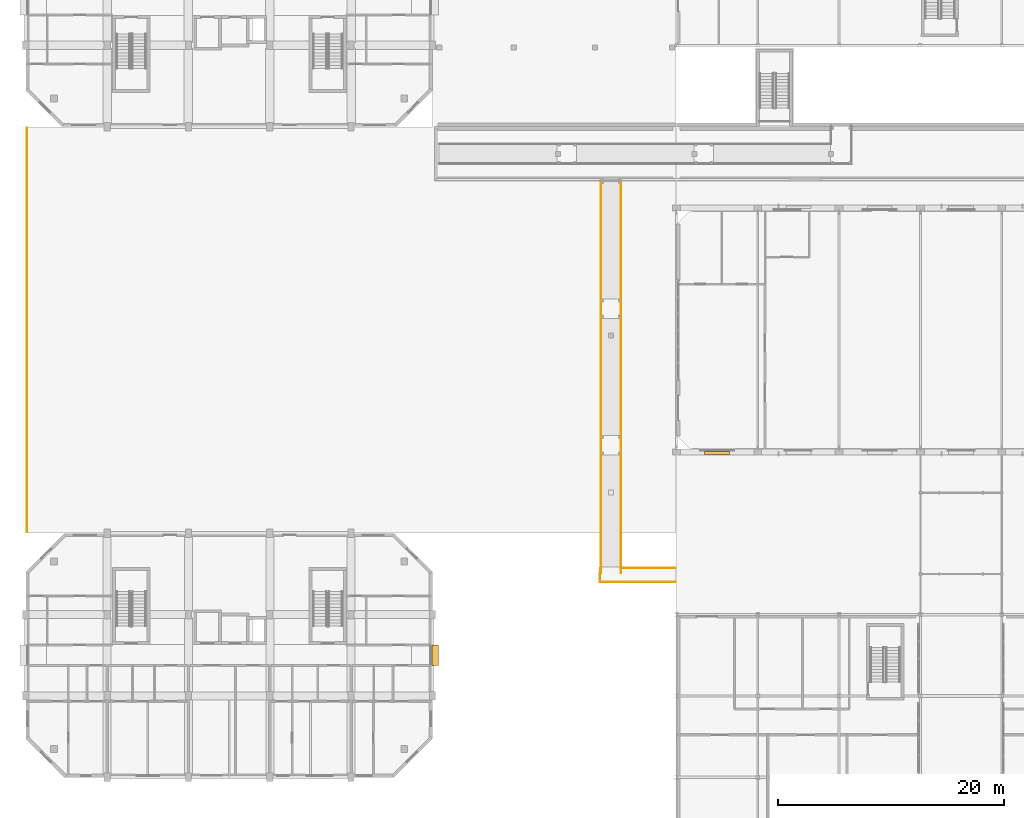
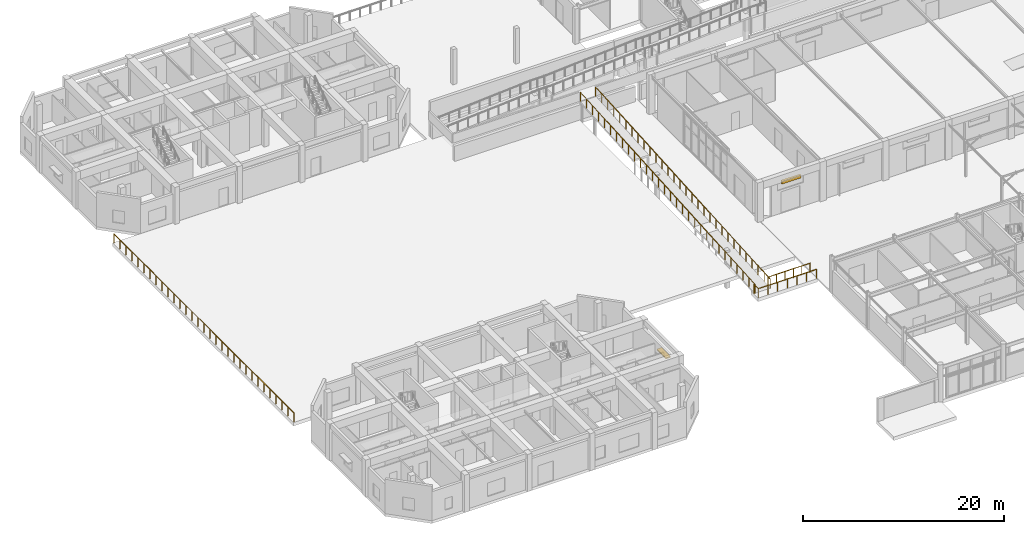
# One storey, part 74 of 85: 3 railings, 2 shading devices.
"""IFC4 building model written with IfcOpenShell, lengths in metres."""

from ifc_helpers import new_model, si_unit, direction, frame, origin, origin_2d, place, context, subcontext, project, spatial, rectangle, circle, extrude, material, type_object, element, save


model = new_model("IFC4")

# Units and contexts
model_context = context("Model", 3, precision=1e-05, world=origin(), true_north=direction((0.0, 1.0)))
body_context = subcontext(model_context, "Body", "Model", "MODEL_VIEW")
ifc_project = project(units=[si_unit("LENGTHUNIT", "METRE"), si_unit("AREAUNIT", "SQUARE_METRE"), si_unit("VOLUMEUNIT", "CUBIC_METRE"), si_unit("PLANEANGLEUNIT", "RADIAN"), si_unit("MASSUNIT", "GRAM", prefix="KILO")], contexts=[model_context])

# Site, building, storey
site_placement = place(None, origin())
site = spatial("IfcSite", under=ifc_project, at=site_placement, CompositionType="ELEMENT")
building_placement = place(site_placement, origin())
building = spatial("IfcBuilding", under=site, at=building_placement, Name="Ochrevale Crest", CompositionType="ELEMENT")
storey_placement = place(building_placement, origin())
storey = spatial("IfcBuildingStorey", under=building, at=storey_placement, Name="L00", CompositionType="ELEMENT", Elevation=0.0)

# Railings
ifc_material_1 = material(Name="Galvanised steel", Category="steel")
railing_type = type_object("IfcRailingType", Name="RL-TER-1120", PredefinedType="BALUSTRADE", material=ifc_material_1)
railing_1_placement = place(storey_placement, frame((0.10009765625, 36.10009765625, 0.0)))
element("IfcRailing", 1, at=railing_1_placement, inside=storey, type_object=railing_type, Name="West courtyard plaza west balustrade", PredefinedType="BALUSTRADE", context=body_context, shape_type="SweptSolid", body=[
    extrude(circle(Radius=0.02392578125, at=origin_2d()), frame((0.0, 0.0, 1.09619140625), z_axis=(0.0, 1.0, 0.0), x_axis=(-1.0, 0.0, 0.0)), (0.0, 0.0, 1.0), 35.7998046875),
    extrude(circle(Radius=0.02099609375, at=origin_2d()), origin(), (0.0, 0.0, 1.0), 1.072021484375),
    extrude(circle(Radius=0.02099609375, at=origin_2d()), frame((0.0, 1.193359375, 0.0)), (0.0, 0.0, 1.0), 1.072021484375),
    extrude(circle(Radius=0.02099609375, at=origin_2d()), frame((0.0, 2.38671875, 0.0)), (0.0, 0.0, 1.0), 1.072021484375),
    extrude(circle(Radius=0.02099609375, at=origin_2d()), frame((0.0, 3.580078125, 0.0)), (0.0, 0.0, 1.0), 1.072021484375),
    extrude(circle(Radius=0.02099609375, at=origin_2d()), frame((0.0, 4.773193359375, 0.0)), (0.0, 0.0, 1.0), 1.072021484375),
    extrude(circle(Radius=0.02099609375, at=origin_2d()), frame((0.0, 5.966552734375, 0.0)), (0.0, 0.0, 1.0), 1.072021484375),
    extrude(circle(Radius=0.02099609375, at=origin_2d()), frame((0.0, 7.159912109375, 0.0)), (0.0, 0.0, 1.0), 1.072021484375),
    extrude(circle(Radius=0.02099609375, at=origin_2d()), frame((0.0, 8.353271484375, 0.0)), (0.0, 0.0, 1.0), 1.072021484375),
    extrude(circle(Radius=0.02099609375, at=origin_2d()), frame((0.0, 9.546630859375, 0.0)), (0.0, 0.0, 1.0), 1.072021484375),
    extrude(circle(Radius=0.02099609375, at=origin_2d()), frame((0.0, 10.739990234375, 0.0)), (0.0, 0.0, 1.0), 1.072021484375),
    extrude(circle(Radius=0.02099609375, at=origin_2d()), frame((0.0, 11.933349609375, 0.0)), (0.0, 0.0, 1.0), 1.072021484375),
    extrude(circle(Radius=0.02099609375, at=origin_2d()), frame((0.0, 13.126708984375, 0.0)), (0.0, 0.0, 1.0), 1.072021484375),
    extrude(circle(Radius=0.02099609375, at=origin_2d()), frame((0.0, 14.31982421875, 0.0)), (0.0, 0.0, 1.0), 1.072021484375),
    extrude(circle(Radius=0.02099609375, at=origin_2d()), frame((0.0, 15.51318359375, 0.0)), (0.0, 0.0, 1.0), 1.072021484375),
    extrude(circle(Radius=0.02099609375, at=origin_2d()), frame((0.0, 16.70654296875, 0.0)), (0.0, 0.0, 1.0), 1.072021484375),
    extrude(circle(Radius=0.02099609375, at=origin_2d()), frame((0.0, 17.89990234375, 0.0)), (0.0, 0.0, 1.0), 1.072021484375),
    extrude(circle(Radius=0.02099609375, at=origin_2d()), frame((0.0, 19.09326171875, 0.0)), (0.0, 0.0, 1.0), 1.072021484375),
    extrude(circle(Radius=0.02099609375, at=origin_2d()), frame((0.0, 20.28662109375, 0.0)), (0.0, 0.0, 1.0), 1.072021484375),
    extrude(circle(Radius=0.02099609375, at=origin_2d()), frame((0.0, 21.47998046875, 0.0)), (0.0, 0.0, 1.0), 1.072021484375),
    extrude(circle(Radius=0.02099609375, at=origin_2d()), frame((0.0, 22.673095703125, 0.0)), (0.0, 0.0, 1.0), 1.072021484375),
    extrude(circle(Radius=0.02099609375, at=origin_2d()), frame((0.0, 23.866455078125, 0.0)), (0.0, 0.0, 1.0), 1.072021484375),
    extrude(circle(Radius=0.02099609375, at=origin_2d()), frame((0.0, 25.059814453125, 0.0)), (0.0, 0.0, 1.0), 1.072021484375),
    extrude(circle(Radius=0.02099609375, at=origin_2d()), frame((0.0, 26.253173828125, 0.0)), (0.0, 0.0, 1.0), 1.072021484375),
    extrude(circle(Radius=0.02099609375, at=origin_2d()), frame((0.0, 27.446533203125, 0.0)), (0.0, 0.0, 1.0), 1.072021484375),
    extrude(circle(Radius=0.02099609375, at=origin_2d()), frame((0.0, 28.639892578125, 0.0)), (0.0, 0.0, 1.0), 1.072021484375),
    extrude(circle(Radius=0.02099609375, at=origin_2d()), frame((0.0, 29.833251953125, 0.0)), (0.0, 0.0, 1.0), 1.072021484375),
    extrude(circle(Radius=0.02099609375, at=origin_2d()), frame((0.0, 31.026611328125, 0.0)), (0.0, 0.0, 1.0), 1.072021484375),
    extrude(circle(Radius=0.02099609375, at=origin_2d()), frame((0.0, 32.2197265625, 0.0)), (0.0, 0.0, 1.0), 1.072021484375),
    extrude(circle(Radius=0.02099609375, at=origin_2d()), frame((0.0, 33.4130859375, 0.0)), (0.0, 0.0, 1.0), 1.072021484375),
    extrude(circle(Radius=0.02099609375, at=origin_2d()), frame((0.0, 34.6064453125, 0.0)), (0.0, 0.0, 1.0), 1.072021484375),
    extrude(circle(Radius=0.02099609375, at=origin_2d()), frame((0.0, 35.7998046875, 0.0)), (0.0, 0.0, 1.0), 1.072021484375),
])
railing_2_placement = place(storey_placement, frame((57.5, 31.679931640625, 0.0)))
element("IfcRailing", 2, at=railing_2_placement, inside=storey, type_object=railing_type, Name="Accessible ramp W1 outer threshold and west guard", PredefinedType="BALUSTRADE", context=body_context, shape_type="SweptSolid", body=[
    extrude(circle(Radius=0.02392578125, at=origin_2d()), frame((0.0, 0.0, 1.09619140625), z_axis=(-1.0, 0.0, 0.0), x_axis=(0.0, -1.0, 0.0)), (0.0, 0.0, 1.0), 6.669921875),
    extrude(circle(Radius=0.02392578125, at=origin_2d()), frame((-6.669921875, 0.0, 1.09619140625), z_axis=(0.0, 1.0, 0.0), x_axis=(-1.0, 0.0, 0.0)), (0.0, 0.0, 1.0), 0.820068359375),
    extrude(circle(Radius=0.02392578125, at=origin_2d()), frame((-6.669921875, 0.820068359375, 1.09619140625), z_axis=(1.0, 0.0, 0.0), x_axis=(0.0, 1.0, 0.0)), (0.0, 0.0, 1.0), 0.08984375),
    extrude(circle(Radius=0.02392578125, at=origin_2d()), frame((-6.580078125, 0.820068359375, 1.09619140625), z_axis=(0.0, 0.997904389943, 0.064705707113), x_axis=(-1.0, 0.0, 0.0)), (0.0, 0.0, 1.0), 34.772705078125),
    extrude(circle(Radius=0.02099609375, at=origin_2d()), origin(), (0.0, 0.0, 1.0), 1.072021484375),
    extrude(circle(Radius=0.02099609375, at=origin_2d()), frame((-1.111572265625, 0.0, 0.0)), (0.0, 0.0, 1.0), 1.072021484375),
    extrude(circle(Radius=0.02099609375, at=origin_2d()), frame((-2.223388671875, 0.0, 0.0)), (0.0, 0.0, 1.0), 1.072021484375),
    extrude(circle(Radius=0.02099609375, at=origin_2d()), frame((-3.3349609375, 0.0, 0.0)), (0.0, 0.0, 1.0), 1.072021484375),
    extrude(circle(Radius=0.02099609375, at=origin_2d()), frame((-4.446533203125, 0.0, 0.0)), (0.0, 0.0, 1.0), 1.072021484375),
    extrude(circle(Radius=0.02099609375, at=origin_2d()), frame((-5.558349609375, 0.0, 0.0)), (0.0, 0.0, 1.0), 1.072021484375),
    extrude(circle(Radius=0.02099609375, at=origin_2d()), frame((-6.669921875, 0.0, 0.0)), (0.0, 0.0, 1.0), 1.072021484375),
    extrude(circle(Radius=0.02099609375, at=origin_2d()), frame((-6.669921875, 0.820068359375, 0.0)), (0.0, 0.0, 1.0), 1.072021484375),
    extrude(circle(Radius=0.02099609375, at=origin_2d()), frame((-6.580078125, 0.820068359375, 0.0)), (0.0, 0.0, 1.0), 1.072021484375),
    extrude(circle(Radius=0.02099609375, at=origin_2d()), frame((-6.580078125, 2.0166015625, 0.07763671875)), (0.0, 0.0, 1.0), 1.072021484375),
    extrude(circle(Radius=0.02099609375, at=origin_2d()), frame((-6.580078125, 3.213134765625, 0.1552734375)), (0.0, 0.0, 1.0), 1.072021484375),
    extrude(circle(Radius=0.02099609375, at=origin_2d()), frame((-6.580078125, 4.40966796875, 0.232666015625)), (0.0, 0.0, 1.0), 1.072021484375),
    extrude(circle(Radius=0.02099609375, at=origin_2d()), frame((-6.580078125, 5.606201171875, 0.310302734375)), (0.0, 0.0, 1.0), 1.072021484375),
    extrude(circle(Radius=0.02099609375, at=origin_2d()), frame((-6.580078125, 6.802734375, 0.387939453125)), (0.0, 0.0, 1.0), 1.072021484375),
    extrude(circle(Radius=0.02099609375, at=origin_2d()), frame((-6.580078125, 7.999267578125, 0.465576171875)), (0.0, 0.0, 1.0), 1.072021484375),
    extrude(circle(Radius=0.02099609375, at=origin_2d()), frame((-6.580078125, 9.19580078125, 0.543212890625)), (0.0, 0.0, 1.0), 1.072021484375),
    extrude(circle(Radius=0.02099609375, at=origin_2d()), frame((-6.580078125, 10.392578125, 0.62060546875)), (0.0, 0.0, 1.0), 1.072021484375),
    extrude(circle(Radius=0.02099609375, at=origin_2d()), frame((-6.580078125, 11.589111328125, 0.6982421875)), (0.0, 0.0, 1.0), 1.072021484375),
    extrude(circle(Radius=0.02099609375, at=origin_2d()), frame((-6.580078125, 12.78564453125, 0.77587890625)), (0.0, 0.0, 1.0), 1.072021484375),
    extrude(circle(Radius=0.02099609375, at=origin_2d()), frame((-6.580078125, 13.982177734375, 0.853515625)), (0.0, 0.0, 1.0), 1.072021484375),
    extrude(circle(Radius=0.02099609375, at=origin_2d()), frame((-6.580078125, 15.1787109375, 0.93115234375)), (0.0, 0.0, 1.0), 1.072021484375),
    extrude(circle(Radius=0.02099609375, at=origin_2d()), frame((-6.580078125, 16.375244140625, 1.008544921875)), (0.0, 0.0, 1.0), 1.072021484375),
    extrude(circle(Radius=0.02099609375, at=origin_2d()), frame((-6.580078125, 17.57177734375, 1.086181640625)), (0.0, 0.0, 1.0), 1.072021484375),
    extrude(circle(Radius=0.02099609375, at=origin_2d()), frame((-6.580078125, 18.768310546875, 1.163818359375)), (0.0, 0.0, 1.0), 1.072021484375),
    extrude(circle(Radius=0.02099609375, at=origin_2d()), frame((-6.580078125, 19.96484375, 1.241455078125)), (0.0, 0.0, 1.0), 1.072021484375),
    extrude(circle(Radius=0.02099609375, at=origin_2d()), frame((-6.580078125, 21.161376953125, 1.31884765625)), (0.0, 0.0, 1.0), 1.072021484375),
    extrude(circle(Radius=0.02099609375, at=origin_2d()), frame((-6.580078125, 22.35791015625, 1.396484375)), (0.0, 0.0, 1.0), 1.072021484375),
    extrude(circle(Radius=0.02099609375, at=origin_2d()), frame((-6.580078125, 23.554443359375, 1.47412109375)), (0.0, 0.0, 1.0), 1.072021484375),
    extrude(circle(Radius=0.02099609375, at=origin_2d()), frame((-6.580078125, 24.7509765625, 1.5517578125)), (0.0, 0.0, 1.0), 1.072021484375),
    extrude(circle(Radius=0.02099609375, at=origin_2d()), frame((-6.580078125, 25.947509765625, 1.62939453125)), (0.0, 0.0, 1.0), 1.072021484375),
    extrude(circle(Radius=0.02099609375, at=origin_2d()), frame((-6.580078125, 27.144287109375, 1.706787109375)), (0.0, 0.0, 1.0), 1.072021484375),
    extrude(circle(Radius=0.02099609375, at=origin_2d()), frame((-6.580078125, 28.3408203125, 1.784423828125)), (0.0, 0.0, 1.0), 1.072021484375),
    extrude(circle(Radius=0.02099609375, at=origin_2d()), frame((-6.580078125, 29.537353515625, 1.862060546875)), (0.0, 0.0, 1.0), 1.072021484375),
    extrude(circle(Radius=0.02099609375, at=origin_2d()), frame((-6.580078125, 30.73388671875, 1.939697265625)), (0.0, 0.0, 1.0), 1.072021484375),
    extrude(circle(Radius=0.02099609375, at=origin_2d()), frame((-6.580078125, 31.930419921875, 2.017333984375)), (0.0, 0.0, 1.0), 1.072021484375),
    extrude(circle(Radius=0.02099609375, at=origin_2d()), frame((-6.580078125, 33.126953125, 2.0947265625)), (0.0, 0.0, 1.0), 1.072021484375),
    extrude(circle(Radius=0.02099609375, at=origin_2d()), frame((-6.580078125, 34.323486328125, 2.17236328125)), (0.0, 0.0, 1.0), 1.072021484375),
    extrude(circle(Radius=0.02099609375, at=origin_2d()), frame((-6.580078125, 35.52001953125, 2.25)), (0.0, 0.0, 1.0), 1.072021484375),
])
railing_3_placement = place(storey_placement, frame((57.5, 32.919921875, 0.0)))
element("IfcRailing", 3, at=railing_3_placement, inside=storey, type_object=railing_type, Name="Accessible ramp W1 inner threshold and east guard", PredefinedType="BALUSTRADE", context=body_context, shape_type="SweptSolid", body=[
    extrude(circle(Radius=0.02392578125, at=origin_2d()), frame((0.0, 0.0, 1.09619140625), z_axis=(-1.0, 0.0, 0.0), x_axis=(0.0, -1.0, 0.0)), (0.0, 0.0, 1.0), 4.820068359375),
    extrude(circle(Radius=0.02392578125, at=origin_2d()), frame((-4.820068359375, 0.0, 1.09619140625), z_axis=(0.0, -1.0, 0.0), x_axis=(1.0, 0.0, 0.0)), (0.0, 0.0, 1.0), 0.419921875),
    extrude(circle(Radius=0.02392578125, at=origin_2d()), frame((-4.820068359375, -0.419921875, 1.09619140625), z_axis=(0.0, 0.997904389943, 0.064705707113), x_axis=(-1.0, 0.0, 0.0)), (0.0, 0.0, 1.0), 34.772705078125),
    extrude(circle(Radius=0.02099609375, at=origin_2d()), origin(), (0.0, 0.0, 1.0), 1.072021484375),
    extrude(circle(Radius=0.02099609375, at=origin_2d()), frame((-0.964111328125, 0.0, 0.0)), (0.0, 0.0, 1.0), 1.072021484375),
    extrude(circle(Radius=0.02099609375, at=origin_2d()), frame((-1.927978515625, 0.0, 0.0)), (0.0, 0.0, 1.0), 1.072021484375),
    extrude(circle(Radius=0.02099609375, at=origin_2d()), frame((-2.89208984375, 0.0, 0.0)), (0.0, 0.0, 1.0), 1.072021484375),
    extrude(circle(Radius=0.02099609375, at=origin_2d()), frame((-3.85595703125, 0.0, 0.0)), (0.0, 0.0, 1.0), 1.072021484375),
    extrude(circle(Radius=0.02099609375, at=origin_2d()), frame((-4.820068359375, 0.0, 0.0)), (0.0, 0.0, 1.0), 1.072021484375),
    extrude(circle(Radius=0.02099609375, at=origin_2d()), frame((-4.820068359375, -0.419921875, 0.0)), (0.0, 0.0, 1.0), 1.072021484375),
    extrude(circle(Radius=0.02099609375, at=origin_2d()), frame((-4.820068359375, 0.776611328125, 0.07763671875)), (0.0, 0.0, 1.0), 1.072021484375),
    extrude(circle(Radius=0.02099609375, at=origin_2d()), frame((-4.820068359375, 1.97314453125, 0.1552734375)), (0.0, 0.0, 1.0), 1.072021484375),
    extrude(circle(Radius=0.02099609375, at=origin_2d()), frame((-4.820068359375, 3.169677734375, 0.232666015625)), (0.0, 0.0, 1.0), 1.072021484375),
    extrude(circle(Radius=0.02099609375, at=origin_2d()), frame((-4.820068359375, 4.3662109375, 0.310302734375)), (0.0, 0.0, 1.0), 1.072021484375),
    extrude(circle(Radius=0.02099609375, at=origin_2d()), frame((-4.820068359375, 5.562744140625, 0.387939453125)), (0.0, 0.0, 1.0), 1.072021484375),
    extrude(circle(Radius=0.02099609375, at=origin_2d()), frame((-4.820068359375, 6.75927734375, 0.465576171875)), (0.0, 0.0, 1.0), 1.072021484375),
    extrude(circle(Radius=0.02099609375, at=origin_2d()), frame((-4.820068359375, 7.955810546875, 0.543212890625)), (0.0, 0.0, 1.0), 1.072021484375),
    extrude(circle(Radius=0.02099609375, at=origin_2d()), frame((-4.820068359375, 9.152587890625, 0.62060546875)), (0.0, 0.0, 1.0), 1.072021484375),
    extrude(circle(Radius=0.02099609375, at=origin_2d()), frame((-4.820068359375, 10.34912109375, 0.6982421875)), (0.0, 0.0, 1.0), 1.072021484375),
    extrude(circle(Radius=0.02099609375, at=origin_2d()), frame((-4.820068359375, 11.545654296875, 0.77587890625)), (0.0, 0.0, 1.0), 1.072021484375),
    extrude(circle(Radius=0.02099609375, at=origin_2d()), frame((-4.820068359375, 12.7421875, 0.853515625)), (0.0, 0.0, 1.0), 1.072021484375),
    extrude(circle(Radius=0.02099609375, at=origin_2d()), frame((-4.820068359375, 13.938720703125, 0.93115234375)), (0.0, 0.0, 1.0), 1.072021484375),
    extrude(circle(Radius=0.02099609375, at=origin_2d()), frame((-4.820068359375, 15.13525390625, 1.008544921875)), (0.0, 0.0, 1.0), 1.072021484375),
    extrude(circle(Radius=0.02099609375, at=origin_2d()), frame((-4.820068359375, 16.331787109375, 1.086181640625)), (0.0, 0.0, 1.0), 1.072021484375),
    extrude(circle(Radius=0.02099609375, at=origin_2d()), frame((-4.820068359375, 17.5283203125, 1.163818359375)), (0.0, 0.0, 1.0), 1.072021484375),
    extrude(circle(Radius=0.02099609375, at=origin_2d()), frame((-4.820068359375, 18.724853515625, 1.241455078125)), (0.0, 0.0, 1.0), 1.072021484375),
    extrude(circle(Radius=0.02099609375, at=origin_2d()), frame((-4.820068359375, 19.92138671875, 1.31884765625)), (0.0, 0.0, 1.0), 1.072021484375),
    extrude(circle(Radius=0.02099609375, at=origin_2d()), frame((-4.820068359375, 21.117919921875, 1.396484375)), (0.0, 0.0, 1.0), 1.072021484375),
    extrude(circle(Radius=0.02099609375, at=origin_2d()), frame((-4.820068359375, 22.314453125, 1.47412109375)), (0.0, 0.0, 1.0), 1.072021484375),
    extrude(circle(Radius=0.02099609375, at=origin_2d()), frame((-4.820068359375, 23.510986328125, 1.5517578125)), (0.0, 0.0, 1.0), 1.072021484375),
    extrude(circle(Radius=0.02099609375, at=origin_2d()), frame((-4.820068359375, 24.70751953125, 1.62939453125)), (0.0, 0.0, 1.0), 1.072021484375),
    extrude(circle(Radius=0.02099609375, at=origin_2d()), frame((-4.820068359375, 25.904296875, 1.706787109375)), (0.0, 0.0, 1.0), 1.072021484375),
    extrude(circle(Radius=0.02099609375, at=origin_2d()), frame((-4.820068359375, 27.100830078125, 1.784423828125)), (0.0, 0.0, 1.0), 1.072021484375),
    extrude(circle(Radius=0.02099609375, at=origin_2d()), frame((-4.820068359375, 28.29736328125, 1.862060546875)), (0.0, 0.0, 1.0), 1.072021484375),
    extrude(circle(Radius=0.02099609375, at=origin_2d()), frame((-4.820068359375, 29.493896484375, 1.939697265625)), (0.0, 0.0, 1.0), 1.072021484375),
    extrude(circle(Radius=0.02099609375, at=origin_2d()), frame((-4.820068359375, 30.6904296875, 2.017333984375)), (0.0, 0.0, 1.0), 1.072021484375),
    extrude(circle(Radius=0.02099609375, at=origin_2d()), frame((-4.820068359375, 31.886962890625, 2.0947265625)), (0.0, 0.0, 1.0), 1.072021484375),
    extrude(circle(Radius=0.02099609375, at=origin_2d()), frame((-4.820068359375, 33.08349609375, 2.17236328125)), (0.0, 0.0, 1.0), 1.072021484375),
    extrude(circle(Radius=0.02099609375, at=origin_2d()), frame((-4.820068359375, 34.280029296875, 2.25)), (0.0, 0.0, 1.0), 1.072021484375),
])

# Shading devices
ifc_material_2 = material(Name="Anodised aluminium 6063-T5", Category="aluminium")
shading_device_type_1 = type_object("IfcShadingDeviceType", Name="SHD-LOUVRE-AL", PredefinedType="JALOUSIE", material=ifc_material_2)
shading_device_1_placement = place(storey_placement, frame((61.199951171875, 43.1201171875, 3.64501953125), z_axis=(0.0, 0.0, 1.0), x_axis=(1.0, 0.0, 0.0)))
element("IfcShadingDevice", 4, at=shading_device_1_placement, inside=storey, type_object=shading_device_type_1, Name="Community Hall S bronze sun-control louvre 1", PredefinedType="JALOUSIE", context=body_context, shape_type="SweptSolid", body=[
    extrude(rectangle(XDim=2.199951171875, YDim=0.239990234375, at=origin_2d()), origin(), (0.0, 0.0, 1.0), 0.35009765625),
])
shading_device_type_2 = type_object("IfcShadingDeviceType", Name="SHD-SUNSHADE-OC", PredefinedType="USERDEFINED", material=ifc_material_2)
shading_device_2_placement = place(storey_placement, frame((36.239990234375, 25.199951171875, 2.2099609375), z_axis=(0.0, 0.0, 1.0), x_axis=(1.0, 0.0, 0.0)))
element("IfcShadingDevice", 5, at=shading_device_2_placement, inside=storey, type_object=shading_device_type_2, Name="Block A L00 gable window sunshade E", ObjectType="HORIZONTAL SUNSHADE", PredefinedType="USERDEFINED", context=body_context, shape_type="SweptSolid", body=[
    extrude(rectangle(XDim=0.550048828125, YDim=1.800048828125, at=origin_2d()), origin(), (0.0, 0.0, 1.0), 0.139892578125),
])

save(model, "model.ifc")
